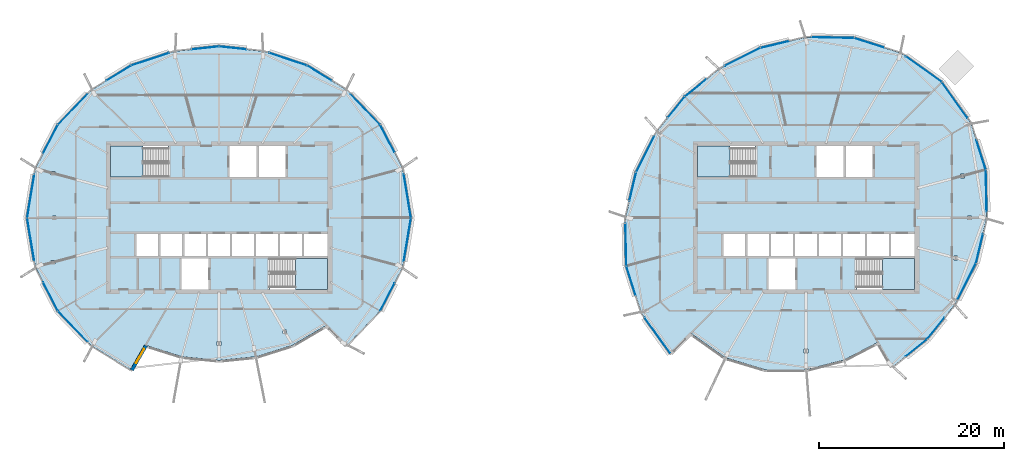
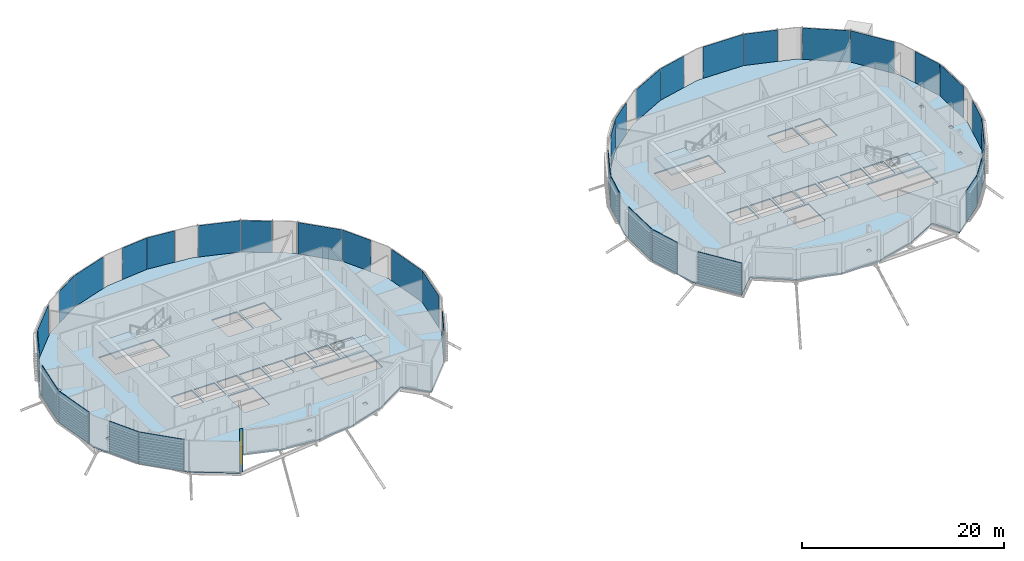
# One storey, part 15 of 35: 36 plates, 6 slabs, 1 wall, 1 window, 1 opening, 6 elements without a shape of their own.
"""IFC4 building model written with IfcOpenShell, lengths in metres."""

from ifc_helpers import new_model, si_unit, direction, frame, frame_2d, origin, origin_2d, place, context, subcontext, project, spatial, polyline, rectangle, outline, extrude, material, layer, layer_set, type_object, element, fill, aggregate, save


model = new_model("IFC4")

# Units and contexts
model_context = context("Model", 3, precision=1e-05, world=origin(), true_north=direction((0.0, 1.0)))
body_context = subcontext(model_context, "Body", "Model", "MODEL_VIEW")
ifc_project = project(units=[si_unit("LENGTHUNIT", "METRE"), si_unit("AREAUNIT", "SQUARE_METRE"), si_unit("VOLUMEUNIT", "CUBIC_METRE"), si_unit("PLANEANGLEUNIT", "RADIAN"), si_unit("MASSUNIT", "GRAM", prefix="KILO")], contexts=[model_context])

# Site, building, storey
site_placement = place(None, origin())
site = spatial("IfcSite", under=ifc_project, at=site_placement, CompositionType="ELEMENT")
building_placement = place(site_placement, origin())
building = spatial("IfcBuilding", under=site, at=building_placement, Name="Rimbun Link Towers", CompositionType="ELEMENT")
storey_placement = place(building_placement, frame((0.0, 0.0, 225.699951171875)))
storey = spatial("IfcBuildingStorey", under=building, at=storey_placement, Name="L55", CompositionType="ELEMENT", Elevation=225.699951171875)

# Slabs
ifc_material_1 = material(Name="Concrete C35/45", Category="concrete")
ifc_layer_1 = layer(ifc_material_1, 0.139892578125)
ifc_layer_set_1 = layer_set([ifc_layer_1], Name="COMPOSITE FLOOR 140")
slab_type_1 = type_object("IfcSlabType", Name="COMPOSITE FLOOR 140", PredefinedType="FLOOR", material=ifc_layer_set_1)
slab_1_placement = place(storey_placement, frame((0.0, 0.0, -0.139892578125)))
element("IfcSlab", 1, at=slab_1_placement, inside=storey, type_object=slab_type_1, Name="Floor slab T1 L55", PredefinedType="FLOOR", context=body_context, shape_type="SweptSolid", body=[
    extrude(outline(polyline([(-45.56494140625, -13.81494140625), (-49.168212890625, -10.056396484375), (-51.6171875, -5.323486328125), (-52.49267578125, 0.0), (-51.6171875, 5.323486328125), (-49.168212890625, 10.056396484375), (-45.56494140625, 13.81494140625), (-41.254150390625, 16.4619140625), (-36.576416015625, 18.011962890625), (-31.75, 18.520263671875), (-26.923583984375, 18.011962890625), (-22.245849609375, 16.4619140625), (-17.93505859375, 13.81494140625), (-14.331787109375, 10.056396484375), (-11.8828125, 5.323486328125), (-11.00732421875, 0.0), (-11.8828125, -5.323486328125), (-14.331787109375, -10.056396484375), (-17.93505859375, -13.81494140625), (-20.127197265625, -11.622802734375), (-23.7958984375, -13.777099609375), (-27.72607421875, -15.017578125), (-31.75, -15.42041015625), (-35.77392578125, -15.017578125), (-39.7041015625, -13.777099609375), (-41.254150390625, -16.4619140625), (-45.56494140625, -13.81494140625)]), holes=[polyline([(-31.550537109375, -13.792236328125), (-31.550537109375, -13.398681640625), (-31.949462890625, -13.398681640625), (-31.949462890625, -13.792236328125), (-31.550537109375, -13.792236328125)]), polyline([(-32.89990234375, -7.75), (-32.89990234375, -4.39990234375), (-35.800048828125, -4.39990234375), (-35.800048828125, -7.75), (-32.89990234375, -7.75)]), polyline([(-49.51904296875, -5.011474609375), (-49.51904296875, -4.617919921875), (-49.918212890625, -4.617919921875), (-49.918212890625, -5.011474609375), (-49.51904296875, -5.011474609375)]), polyline([(-38.361083984375, -4.14990234375), (-38.361083984375, -1.75), (-40.70556640625, -1.75), (-40.70556640625, -4.14990234375), (-38.361083984375, -4.14990234375)]), polyline([(-35.7666015625, -4.14990234375), (-35.7666015625, -1.75), (-38.111083984375, -1.75), (-38.111083984375, -4.14990234375), (-35.7666015625, -4.14990234375)]), polyline([(-33.172119140625, -4.14990234375), (-33.172119140625, -1.75), (-35.5166015625, -1.75), (-35.5166015625, -4.14990234375), (-33.172119140625, -4.14990234375)]), polyline([(-49.3837890625, -0.19677734375), (-49.3837890625, 0.19677734375), (-49.78271484375, 0.19677734375), (-49.78271484375, -0.19677734375), (-49.3837890625, -0.19677734375)]), polyline([(-49.918212890625, 4.617919921875), (-49.51904296875, 4.617919921875), (-49.51904296875, 5.011474609375), (-49.918212890625, 5.011474609375), (-49.918212890625, 4.617919921875)]), polyline([(-43.5, 4.39990234375), (-37.260009765625, 4.39990234375), (-37.260009765625, 7.75), (-43.5, 7.75), (-43.5, 4.39990234375)]), polyline([(-24.4296875, -12.530517578125), (-24.4296875, -12.136962890625), (-24.82861328125, -12.136962890625), (-24.82861328125, -12.530517578125), (-24.4296875, -12.530517578125)]), polyline([(-20.0, -7.75), (-20.0, -4.39990234375), (-26.239990234375, -4.39990234375), (-26.239990234375, -7.75), (-20.0, -7.75)]), polyline([(-30.577880859375, -4.14990234375), (-30.577880859375, -1.75), (-32.922119140625, -1.75), (-32.922119140625, -4.14990234375), (-30.577880859375, -4.14990234375)]), polyline([(-27.9833984375, -4.14990234375), (-27.9833984375, -1.75), (-30.327880859375, -1.75), (-30.327880859375, -4.14990234375), (-27.9833984375, -4.14990234375)]), polyline([(-25.388916015625, -4.14990234375), (-25.388916015625, -1.75), (-27.7333984375, -1.75), (-27.7333984375, -4.14990234375), (-25.388916015625, -4.14990234375)]), polyline([(-22.79443359375, -4.14990234375), (-22.79443359375, -1.75), (-25.138916015625, -1.75), (-25.138916015625, -4.14990234375), (-22.79443359375, -4.14990234375)]), polyline([(-20.0, -4.14990234375), (-20.0, -1.75), (-22.54443359375, -1.75), (-22.54443359375, -4.14990234375), (-20.0, -4.14990234375)]), polyline([(-30.60009765625, 4.39990234375), (-27.699951171875, 4.39990234375), (-27.699951171875, 7.75), (-30.60009765625, 7.75), (-30.60009765625, 4.39990234375)]), polyline([(-27.449951171875, 4.39990234375), (-24.550048828125, 4.39990234375), (-24.550048828125, 7.75), (-27.449951171875, 7.75), (-27.449951171875, 4.39990234375)])]), origin(), (0.0, 0.0, 1.0), 0.139892578125),
])
slab_2_placement = place(storey_placement, frame((0.0, 0.0, -0.139892578125)))
element("IfcSlab", 2, at=slab_2_placement, inside=storey, type_object=slab_type_1, Name="Floor slab T2 L55", PredefinedType="FLOOR", context=body_context, shape_type="SweptSolid", body=[
    extrude(outline(polyline([(13.9375, -10.2841796875), (12.322509765625, -5.20556640625), (12.212646484375, 0.0), (13.389404296875, 4.919677734375), (15.600830078125, 9.32373046875), (18.654296875, 13.095703125), (22.42626953125, 16.149169921875), (26.830322265625, 18.360595703125), (31.75, 19.537353515625), (36.95556640625, 19.427490234375), (42.0341796875, 17.8125), (46.417236328125, 14.667236328125), (49.5625, 10.2841796875), (51.177490234375, 5.20556640625), (51.287353515625, 0.0), (50.110595703125, -4.919677734375), (47.899169921875, -9.32373046875), (44.845703125, -13.095703125), (41.07373046875, -16.149169921875), (39.523681640625, -13.46435546875), (35.867431640625, -15.3662109375), (31.75, -16.437255859375), (27.3466796875, -16.433349609375), (23.015869140625, -15.1279296875), (19.274658203125, -12.475341796875), (17.082763671875, -14.667236328125), (13.9375, -10.2841796875)]), holes=[polyline([(31.949462890625, -14.60009765625), (31.949462890625, -14.20654296875), (31.550537109375, -14.20654296875), (31.550537109375, -14.60009765625), (31.949462890625, -14.60009765625)]), polyline([(30.60009765625, -7.75), (30.60009765625, -4.39990234375), (27.699951171875, -4.39990234375), (27.699951171875, -7.75), (30.60009765625, -7.75)]), polyline([(25.138916015625, -4.14990234375), (25.138916015625, -1.75), (22.79443359375, -1.75), (22.79443359375, -4.14990234375), (25.138916015625, -4.14990234375)]), polyline([(27.7333984375, -4.14990234375), (27.7333984375, -1.75), (25.388916015625, -1.75), (25.388916015625, -4.14990234375), (27.7333984375, -4.14990234375)]), polyline([(30.327880859375, -4.14990234375), (30.327880859375, -1.75), (27.9833984375, -1.75), (27.9833984375, -4.14990234375), (30.327880859375, -4.14990234375)]), polyline([(32.922119140625, -4.14990234375), (32.922119140625, -1.75), (30.577880859375, -1.75), (30.577880859375, -4.14990234375), (32.922119140625, -4.14990234375)]), polyline([(35.5166015625, -4.14990234375), (35.5166015625, -1.75), (33.172119140625, -1.75), (33.172119140625, -4.14990234375), (35.5166015625, -4.14990234375)]), polyline([(26.239990234375, 4.39990234375), (26.239990234375, 7.75), (20.0, 7.75), (20.0, 4.39990234375), (26.239990234375, 4.39990234375)]), polyline([(35.800048828125, 4.39990234375), (35.800048828125, 7.75), (32.89990234375, 7.75), (32.89990234375, 4.39990234375), (35.800048828125, 4.39990234375)]), polyline([(43.5, -7.75), (43.5, -4.39990234375), (37.260009765625, -4.39990234375), (37.260009765625, -7.75), (43.5, -7.75)]), polyline([(48.1552734375, -4.5390625), (48.1552734375, -4.1455078125), (47.75634765625, -4.1455078125), (47.75634765625, -4.5390625), (48.1552734375, -4.5390625)]), polyline([(38.111083984375, -4.14990234375), (38.111083984375, -1.75), (35.7666015625, -1.75), (35.7666015625, -4.14990234375), (38.111083984375, -4.14990234375)]), polyline([(40.70556640625, -4.14990234375), (40.70556640625, -1.75), (38.361083984375, -1.75), (38.361083984375, -4.14990234375), (40.70556640625, -4.14990234375)]), polyline([(43.5, -4.14990234375), (43.5, -1.75), (40.95556640625, -1.75), (40.95556640625, -4.14990234375), (43.5, -4.14990234375)]), polyline([(49.6337890625, -0.19677734375), (49.6337890625, 0.19677734375), (49.23486328125, 0.19677734375), (49.23486328125, -0.19677734375), (49.6337890625, -0.19677734375)]), polyline([(48.4697265625, 4.336669921875), (48.868896484375, 4.336669921875), (48.868896484375, 4.730224609375), (48.4697265625, 4.730224609375), (48.4697265625, 4.336669921875)]), polyline([(36.050048828125, 4.39990234375), (38.949951171875, 4.39990234375), (38.949951171875, 7.75), (36.050048828125, 7.75), (36.050048828125, 4.39990234375)])]), origin(), (0.0, 0.0, 1.0), 0.139892578125),
])

# Curtain wall, plates
ifc_material_2 = material(Name="Aluminium 6063-T6 and low-iron glass", Category="aluminium")
curtain_wall_type = type_object("IfcCurtainWallType", Name="CW1-Z4 unitised vision wall (zone 4)", PredefinedType="NOTDEFINED", material=ifc_material_2)
curtain_wall_1_placement = place(storey_placement, origin())
curtain_wall_1 = element("IfcCurtainWall", 3, at=curtain_wall_1_placement, inside=storey, type_object=curtain_wall_type, Name="CW1 L55 T1", PredefinedType="NOTDEFINED")
ifc_material_3 = material(Name="Low-iron glass, laminated low-e unit", Category="glass")
ifc_layer_2 = layer(ifc_material_3, 0.028076171875)
ifc_layer_set_2 = layer_set([ifc_layer_2], Name="CW1 panel Low-iron glass 28")
plate_type = type_object("IfcPlateType", Name="CW1 panel Low-iron glass 28", PredefinedType="CURTAIN_PANEL", material=ifc_layer_set_2)
plate_1_placement = place(storey_placement, frame((-11.382568359375, 2.367919921875, 0.0), z_axis=(0.0, 0.0, 1.0), x_axis=(0.162264453577, -0.986747306612, 0.0)))
plate_1 = element("IfcPlate", 4, at=plate_1_placement, type_object=plate_type, Name="CW1 panel", PredefinedType="CURTAIN_PANEL", context=body_context, shape_type="SweptSolid", body=[
    extrude(rectangle(XDim=4.7548828125, YDim=0.028076171875, at=origin_2d()), origin(), (0.0, 0.0, 1.0), 3.800048828125),
])
plate_2_placement = place(storey_placement, frame((-13.542724609375, 8.562255859375, 0.0), z_axis=(0.0, 0.0, 1.0), x_axis=(0.459547983117, -0.888152943593, 0.0)))
plate_2 = element("IfcPlate", 5, at=plate_2_placement, type_object=plate_type, Name="CW1 panel", PredefinedType="CURTAIN_PANEL", context=body_context, shape_type="SweptSolid", body=[
    extrude(rectangle(XDim=3.339111328125, YDim=0.028076171875, at=origin_2d()), origin(), (0.0, 0.0, 1.0), 3.800048828125),
])
plate_3_placement = place(storey_placement, frame((-15.91552734375, 11.72900390625, 0.0), z_axis=(0.0, 0.0, 1.0), x_axis=(0.692045926829, -0.721853472084, 0.0)))
plate_3 = element("IfcPlate", 6, at=plate_3_placement, type_object=plate_type, Name="CW1 panel", PredefinedType="CURTAIN_PANEL", context=body_context, shape_type="SweptSolid", body=[
    extrude(rectangle(XDim=4.566650390625, YDim=0.028076171875, at=origin_2d()), origin(), (0.0, 0.0, 1.0), 3.800048828125),
])
plate_4_placement = place(storey_placement, frame((-20.892578125, 15.6474609375, 0.0), z_axis=(0.0, 0.0, 1.0), x_axis=(0.852187308888, -0.523236839844, 0.0)))
plate_4 = element("IfcPlate", 7, at=plate_4_placement, type_object=plate_type, Name="CW1 panel", PredefinedType="CURTAIN_PANEL", context=body_context, shape_type="SweptSolid", body=[
    extrude(rectangle(XDim=3.118408203125, YDim=0.028076171875, at=origin_2d()), origin(), (0.0, 0.0, 1.0), 3.800048828125),
])
plate_5_placement = place(storey_placement, frame((-24.295654296875, 17.15576171875, 0.0), z_axis=(0.0, 0.0, 1.0), x_axis=(0.949235811847, -0.314565372391, 0.0)))
plate_5 = element("IfcPlate", 8, at=plate_5_placement, type_object=plate_type, Name="CW1 panel", PredefinedType="CURTAIN_PANEL", context=body_context, shape_type="SweptSolid", body=[
    extrude(rectangle(XDim=4.2880859375, YDim=0.028076171875, at=origin_2d()), origin(), (0.0, 0.0, 1.0), 3.800048828125),
])
plate_6_placement = place(storey_placement, frame((-30.25537109375, 18.376953125, 0.0), z_axis=(0.0, 0.0, 1.0), x_axis=(0.994499693073, -0.104739488627, 0.0)))
plate_6 = element("IfcPlate", 9, at=plate_6_placement, type_object=plate_type, Name="CW1 panel", PredefinedType="CURTAIN_PANEL", context=body_context, shape_type="SweptSolid", body=[
    extrude(rectangle(XDim=2.962890625, YDim=0.028076171875, at=origin_2d()), origin(), (0.0, 0.0, 1.0), 3.800048828125),
])
plate_7_placement = place(storey_placement, frame((-33.24462890625, 18.376953125, 0.0), z_axis=(0.0, 0.0, 1.0), x_axis=(0.994499693073, 0.104739488627, 0.0)))
plate_7 = element("IfcPlate", 10, at=plate_7_placement, type_object=plate_type, Name="CW1 panel", PredefinedType="CURTAIN_PANEL", context=body_context, shape_type="SweptSolid", body=[
    extrude(rectangle(XDim=2.962890625, YDim=0.028076171875, at=origin_2d()), origin(), (0.0, 0.0, 1.0), 3.800048828125),
])
plate_8_placement = place(storey_placement, frame((-39.204345703125, 17.15576171875, 0.0), z_axis=(0.0, 0.0, 1.0), x_axis=(0.949235811847, 0.314565372391, 0.0)))
plate_8 = element("IfcPlate", 11, at=plate_8_placement, type_object=plate_type, Name="CW1 panel", PredefinedType="CURTAIN_PANEL", context=body_context, shape_type="SweptSolid", body=[
    extrude(rectangle(XDim=4.2880859375, YDim=0.028076171875, at=origin_2d()), origin(), (0.0, 0.0, 1.0), 3.800048828125),
])
plate_9_placement = place(storey_placement, frame((-42.607421875, 15.6474609375, 0.0), z_axis=(0.0, 0.0, 1.0), x_axis=(0.852187308888, 0.523236839844, 0.0)))
plate_9 = element("IfcPlate", 12, at=plate_9_placement, type_object=plate_type, Name="CW1 panel", PredefinedType="CURTAIN_PANEL", context=body_context, shape_type="SweptSolid", body=[
    extrude(rectangle(XDim=3.118408203125, YDim=0.028076171875, at=origin_2d()), origin(), (0.0, 0.0, 1.0), 3.800048828125),
])
plate_10_placement = place(storey_placement, frame((-47.58447265625, 11.72900390625, 0.0), z_axis=(0.0, 0.0, 1.0), x_axis=(0.692045926829, 0.721853472084, 0.0)))
plate_10 = element("IfcPlate", 13, at=plate_10_placement, type_object=plate_type, Name="CW1 panel", PredefinedType="CURTAIN_PANEL", context=body_context, shape_type="SweptSolid", body=[
    extrude(rectangle(XDim=4.566650390625, YDim=0.028076171875, at=origin_2d()), origin(), (0.0, 0.0, 1.0), 3.800048828125),
])
plate_11_placement = place(storey_placement, frame((-49.980224609375, 8.517822265625, 0.0), z_axis=(0.0, 0.0, 1.0), x_axis=(0.459547983117, 0.888152943593, 0.0)))
plate_11 = element("IfcPlate", 14, at=plate_11_placement, type_object=plate_type, Name="CW1 panel", PredefinedType="CURTAIN_PANEL", context=body_context, shape_type="SweptSolid", body=[
    extrude(rectangle(XDim=3.439208984375, YDim=0.028076171875, at=origin_2d()), origin(), (0.0, 0.0, 1.0), 3.800048828125),
])
plate_12_placement = place(storey_placement, frame((-52.12158203125, 2.34326171875, 0.0), z_axis=(0.0, 0.0, 1.0), x_axis=(0.162264453577, 0.986747306612, 0.0)))
plate_12 = element("IfcPlate", 15, at=plate_12_placement, type_object=plate_type, Name="CW1 panel", PredefinedType="CURTAIN_PANEL", context=body_context, shape_type="SweptSolid", body=[
    extrude(rectangle(XDim=4.704833984375, YDim=0.028076171875, at=origin_2d()), origin(), (0.0, 0.0, 1.0), 3.800048828125),
])
plate_13_placement = place(storey_placement, frame((-52.12158203125, -2.34326171875, 0.0), z_axis=(0.0, 0.0, 1.0), x_axis=(-0.162264453577, 0.986747306612, 0.0)))
plate_13 = element("IfcPlate", 16, at=plate_13_placement, type_object=plate_type, Name="CW1 panel", PredefinedType="CURTAIN_PANEL", context=body_context, shape_type="SweptSolid", body=[
    extrude(rectangle(XDim=4.704833984375, YDim=0.028076171875, at=origin_2d()), origin(), (0.0, 0.0, 1.0), 3.800048828125),
])
plate_14_placement = place(storey_placement, frame((-49.980224609375, -8.517822265625, 0.0), z_axis=(0.0, 0.0, 1.0), x_axis=(-0.459547983117, 0.888152943593, 0.0)))
plate_14 = element("IfcPlate", 17, at=plate_14_placement, type_object=plate_type, Name="CW1 panel", PredefinedType="CURTAIN_PANEL", context=body_context, shape_type="SweptSolid", body=[
    extrude(rectangle(XDim=3.439208984375, YDim=0.028076171875, at=origin_2d()), origin(), (0.0, 0.0, 1.0), 3.800048828125),
])
plate_15_placement = place(storey_placement, frame((-47.567138671875, -11.746826171875, 0.0), z_axis=(0.0, 0.0, 1.0), x_axis=(-0.692045926829, 0.721853472084, 0.0)))
plate_15 = element("IfcPlate", 18, at=plate_15_placement, type_object=plate_type, Name="CW1 panel", PredefinedType="CURTAIN_PANEL", context=body_context, shape_type="SweptSolid", body=[
    extrude(rectangle(XDim=4.61669921875, YDim=0.028076171875, at=origin_2d()), origin(), (0.0, 0.0, 1.0), 3.800048828125),
])
plate_16_placement = place(storey_placement, frame((-13.542724609375, -8.562255859375, 0.0), z_axis=(0.0, 0.0, 1.0), x_axis=(-0.459547983117, -0.888152943593, 0.0)))
plate_16 = element("IfcPlate", 19, at=plate_16_placement, type_object=plate_type, Name="CW1 panel", PredefinedType="CURTAIN_PANEL", context=body_context, shape_type="SweptSolid", body=[
    extrude(rectangle(XDim=3.339111328125, YDim=0.028076171875, at=origin_2d()), origin(), (0.0, 0.0, 1.0), 3.800048828125),
])
plate_17_placement = place(storey_placement, frame((-11.382568359375, -2.367919921875, 0.0), z_axis=(0.0, 0.0, 1.0), x_axis=(-0.162264453577, -0.986747306612, 0.0)))
plate_17 = element("IfcPlate", 20, at=plate_17_placement, type_object=plate_type, Name="CW1 panel", PredefinedType="CURTAIN_PANEL", context=body_context, shape_type="SweptSolid", body=[
    extrude(rectangle(XDim=4.7548828125, YDim=0.028076171875, at=origin_2d()), origin(), (0.0, 0.0, 1.0), 3.800048828125),
])
aggregate(curtain_wall_1, [plate_1, plate_2, plate_3, plate_4, plate_5, plate_6, plate_7, plate_8, plate_9, plate_10, plate_11, plate_12, plate_13, plate_14, plate_15, plate_16, plate_17])

curtain_wall_2_placement = place(storey_placement, origin())
curtain_wall_2 = element("IfcCurtainWall", 21, at=curtain_wall_2_placement, inside=storey, type_object=curtain_wall_type, Name="CW1 L55 T2", PredefinedType="NOTDEFINED")
plate_18_placement = place(storey_placement, frame((44.4775390625, 16.076416015625, 0.0), z_axis=(0.0, 0.0, 1.0), x_axis=(0.812465338349, -0.583009497334, 0.0)))
plate_18 = element("IfcPlate", 22, at=plate_18_placement, type_object=plate_type, Name="CW1 panel", PredefinedType="CURTAIN_PANEL", context=body_context, shape_type="SweptSolid", body=[
    extrude(rectangle(XDim=4.7548828125, YDim=0.028076171875, at=origin_2d()), origin(), (0.0, 0.0, 1.0), 3.800048828125),
])
plate_19_placement = place(storey_placement, frame((38.59375, 18.92138671875, 0.0), z_axis=(0.0, 0.0, 1.0), x_axis=(0.952973824415, -0.303052619159, 0.0)))
plate_19 = element("IfcPlate", 23, at=plate_19_placement, type_object=plate_type, Name="CW1 panel", PredefinedType="CURTAIN_PANEL", context=body_context, shape_type="SweptSolid", body=[
    extrude(rectangle(XDim=3.38916015625, YDim=0.028076171875, at=origin_2d()), origin(), (0.0, 0.0, 1.0), 3.800048828125),
])
plate_20_placement = place(storey_placement, frame((34.653076171875, 19.490234375, 0.0), z_axis=(0.0, 0.0, 1.0), x_axis=(0.999778028585, -0.021068781637, 0.0)))
plate_20 = element("IfcPlate", 24, at=plate_20_placement, type_object=plate_type, Name="CW1 panel", PredefinedType="CURTAIN_PANEL", context=body_context, shape_type="SweptSolid", body=[
    extrude(rectangle(XDim=4.566650390625, YDim=0.028076171875, at=origin_2d()), origin(), (0.0, 0.0, 1.0), 3.800048828125),
])
plate_21_placement = place(storey_placement, frame((28.38720703125, 18.74755859375, 0.0), z_axis=(0.0, 0.0, 1.0), x_axis=(0.972572183777, 0.232601262555, 0.0)))
plate_21 = element("IfcPlate", 25, at=plate_21_placement, type_object=plate_type, Name="CW1 panel", PredefinedType="CURTAIN_PANEL", context=body_context, shape_type="SweptSolid", body=[
    extrude(rectangle(XDim=3.16845703125, YDim=0.028076171875, at=origin_2d()), origin(), (0.0, 0.0, 1.0), 3.800048828125),
])
plate_22_placement = place(storey_placement, frame((24.89013671875, 17.402099609375, 0.0), z_axis=(0.0, 0.0, 1.0), x_axis=(0.893646631938, 0.448771319523, 0.0)))
plate_22 = element("IfcPlate", 26, at=plate_22_placement, type_object=plate_type, Name="CW1 panel", PredefinedType="CURTAIN_PANEL", context=body_context, shape_type="SweptSolid", body=[
    extrude(rectangle(XDim=4.2880859375, YDim=0.028076171875, at=origin_2d()), origin(), (0.0, 0.0, 1.0), 3.800048828125),
])
plate_23_placement = place(storey_placement, frame((19.8125, 14.05126953125, 0.0), z_axis=(0.0, 0.0, 1.0), x_axis=(0.777275581063, 0.629160290454, 0.0)))
plate_23 = element("IfcPlate", 27, at=plate_23_placement, type_object=plate_type, Name="CW1 panel", PredefinedType="CURTAIN_PANEL", context=body_context, shape_type="SweptSolid", body=[
    extrude(rectangle(XDim=2.962890625, YDim=0.028076171875, at=origin_2d()), origin(), (0.0, 0.0, 1.0), 3.800048828125),
])
plate_24_placement = place(storey_placement, frame((17.71435546875, 11.95703125, 0.0), z_axis=(0.0, 0.0, 1.0), x_axis=(0.629160290454, 0.777275581063, 0.0)))
plate_24 = element("IfcPlate", 28, at=plate_24_placement, type_object=plate_type, Name="CW1 panel", PredefinedType="CURTAIN_PANEL", context=body_context, shape_type="SweptSolid", body=[
    extrude(rectangle(XDim=2.9130859375, YDim=0.028076171875, at=origin_2d()), origin(), (0.0, 0.0, 1.0), 3.800048828125),
])
plate_25_placement = place(storey_placement, frame((14.359130859375, 6.88232421875, 0.0), z_axis=(0.0, 0.0, 1.0), x_axis=(0.448771319523, 0.893646631938, 0.0)))
plate_25 = element("IfcPlate", 29, at=plate_25_placement, type_object=plate_type, Name="CW1 panel", PredefinedType="CURTAIN_PANEL", context=body_context, shape_type="SweptSolid", body=[
    extrude(rectangle(XDim=4.338134765625, YDim=0.028076171875, at=origin_2d()), origin(), (0.0, 0.0, 1.0), 3.800048828125),
])
plate_26_placement = place(storey_placement, frame((13.00830078125, 3.386962890625, 0.0), z_axis=(0.0, 0.0, 1.0), x_axis=(0.232601262555, 0.972572183777, 0.0)))
plate_26 = element("IfcPlate", 30, at=plate_26_placement, type_object=plate_type, Name="CW1 panel", PredefinedType="CURTAIN_PANEL", context=body_context, shape_type="SweptSolid", body=[
    extrude(rectangle(XDim=3.118408203125, YDim=0.028076171875, at=origin_2d()), origin(), (0.0, 0.0, 1.0), 3.800048828125),
])
plate_27_placement = place(storey_placement, frame((12.259765625, -2.903076171875, 0.0), z_axis=(0.0, 0.0, 1.0), x_axis=(-0.021068781637, 0.999778028585, 0.0)))
plate_27 = element("IfcPlate", 31, at=plate_27_placement, type_object=plate_type, Name="CW1 panel", PredefinedType="CURTAIN_PANEL", context=body_context, shape_type="SweptSolid", body=[
    extrude(rectangle(XDim=4.566650390625, YDim=0.028076171875, at=origin_2d()), origin(), (0.0, 0.0, 1.0), 3.800048828125),
])
plate_28_placement = place(storey_placement, frame((12.821044921875, -6.81982421875, 0.0), z_axis=(0.0, 0.0, 1.0), x_axis=(-0.303052619159, 0.952973824415, 0.0)))
plate_28 = element("IfcPlate", 32, at=plate_28_placement, type_object=plate_type, Name="CW1 panel", PredefinedType="CURTAIN_PANEL", context=body_context, shape_type="SweptSolid", body=[
    extrude(rectangle(XDim=3.339111328125, YDim=0.028076171875, at=origin_2d()), origin(), (0.0, 0.0, 1.0), 3.800048828125),
])
plate_29_placement = place(storey_placement, frame((15.673583984375, -12.7275390625, 0.0), z_axis=(0.0, 0.0, 1.0), x_axis=(-0.583009497334, 0.812465338349, 0.0)))
plate_29 = element("IfcPlate", 33, at=plate_29_placement, type_object=plate_type, Name="CW1 panel", PredefinedType="CURTAIN_PANEL", context=body_context, shape_type="SweptSolid", body=[
    extrude(rectangle(XDim=4.7548828125, YDim=0.028076171875, at=origin_2d()), origin(), (0.0, 0.0, 1.0), 3.800048828125),
])
plate_30_placement = place(storey_placement, frame((43.6875, -14.05126953125, 0.0), z_axis=(0.0, 0.0, 1.0), x_axis=(-0.777275581063, -0.629160290454, 0.0)))
plate_30 = element("IfcPlate", 34, at=plate_30_placement, type_object=plate_type, Name="CW1 panel", PredefinedType="CURTAIN_PANEL", context=body_context, shape_type="SweptSolid", body=[
    extrude(rectangle(XDim=2.962890625, YDim=0.028076171875, at=origin_2d()), origin(), (0.0, 0.0, 1.0), 3.800048828125),
])
plate_31_placement = place(storey_placement, frame((45.78564453125, -11.95703125, 0.0), z_axis=(0.0, 0.0, 1.0), x_axis=(-0.629160290454, -0.777275581063, 0.0)))
plate_31 = element("IfcPlate", 35, at=plate_31_placement, type_object=plate_type, Name="CW1 panel", PredefinedType="CURTAIN_PANEL", context=body_context, shape_type="SweptSolid", body=[
    extrude(rectangle(XDim=2.9130859375, YDim=0.028076171875, at=origin_2d()), origin(), (0.0, 0.0, 1.0), 3.800048828125),
])
plate_32_placement = place(storey_placement, frame((49.140869140625, -6.88232421875, 0.0), z_axis=(0.0, 0.0, 1.0), x_axis=(-0.448771319523, -0.893646631938, 0.0)))
plate_32 = element("IfcPlate", 36, at=plate_32_placement, type_object=plate_type, Name="CW1 panel", PredefinedType="CURTAIN_PANEL", context=body_context, shape_type="SweptSolid", body=[
    extrude(rectangle(XDim=4.338134765625, YDim=0.028076171875, at=origin_2d()), origin(), (0.0, 0.0, 1.0), 3.800048828125),
])
plate_33_placement = place(storey_placement, frame((50.503173828125, -3.33837890625, 0.0), z_axis=(0.0, 0.0, 1.0), x_axis=(-0.232601262555, -0.972572183777, 0.0)))
plate_33 = element("IfcPlate", 37, at=plate_33_placement, type_object=plate_type, Name="CW1 panel", PredefinedType="CURTAIN_PANEL", context=body_context, shape_type="SweptSolid", body=[
    extrude(rectangle(XDim=3.218505859375, YDim=0.028076171875, at=origin_2d()), origin(), (0.0, 0.0, 1.0), 3.800048828125),
])
plate_34_placement = place(storey_placement, frame((51.239501953125, 2.927978515625, 0.0), z_axis=(0.0, 0.0, 1.0), x_axis=(0.021068781637, -0.999778028585, 0.0)))
plate_34 = element("IfcPlate", 38, at=plate_34_placement, type_object=plate_type, Name="CW1 panel", PredefinedType="CURTAIN_PANEL", context=body_context, shape_type="SweptSolid", body=[
    extrude(rectangle(XDim=4.516845703125, YDim=0.028076171875, at=origin_2d()), origin(), (0.0, 0.0, 1.0), 3.800048828125),
])
plate_35_placement = place(storey_placement, frame((50.678955078125, 6.81982421875, 0.0), z_axis=(0.0, 0.0, 1.0), x_axis=(0.303052619159, -0.952973824415, 0.0)))
plate_35 = element("IfcPlate", 39, at=plate_35_placement, type_object=plate_type, Name="CW1 panel", PredefinedType="CURTAIN_PANEL", context=body_context, shape_type="SweptSolid", body=[
    extrude(rectangle(XDim=3.339111328125, YDim=0.028076171875, at=origin_2d()), origin(), (0.0, 0.0, 1.0), 3.800048828125),
])
plate_36_placement = place(storey_placement, frame((47.826416015625, 12.7275390625, 0.0), z_axis=(0.0, 0.0, 1.0), x_axis=(0.583009497334, -0.812465338349, 0.0)))
plate_36 = element("IfcPlate", 40, at=plate_36_placement, type_object=plate_type, Name="CW1 panel", PredefinedType="CURTAIN_PANEL", context=body_context, shape_type="SweptSolid", body=[
    extrude(rectangle(XDim=4.7548828125, YDim=0.028076171875, at=origin_2d()), origin(), (0.0, 0.0, 1.0), 3.800048828125),
])
aggregate(curtain_wall_2, [plate_18, plate_19, plate_20, plate_21, plate_22, plate_23, plate_24, plate_25, plate_26, plate_27, plate_28, plate_29, plate_30, plate_31, plate_32, plate_33, plate_34, plate_35, plate_36])

# Stair, slab
ifc_material_4 = material(Name="Concrete C40/50", Category="concrete")
stair_type = type_object("IfcStairType", Name="Exit stair 3800 rise", PredefinedType="HALF_TURN_STAIR", material=ifc_material_4)
stair_1_placement = place(storey_placement, origin())
stair_1 = element("IfcStair", 41, at=stair_1_placement, inside=storey, type_object=stair_type, Name="L55 EXIT STAIR A", PredefinedType="HALF_TURN_STAIR")
ifc_material_5 = material(Name="Concrete C40/50", Category="concrete")
ifc_layer_3 = layer(ifc_material_5, 0.199951171875)
ifc_layer_set_3 = layer_set([ifc_layer_3], Name="Stair landing")
slab_type_2 = type_object("IfcSlabType", Name="Stair landing", PredefinedType="LANDING", material=ifc_layer_set_3)
slab_3_placement = place(storey_placement, frame((0.0, 0.0, 1.699951171875)))
slab_3 = element("IfcSlab", 42, at=slab_3_placement, type_object=slab_type_2, Name="ST1 landing 1", PredefinedType="LANDING", context=body_context, shape_type="SweptSolid", body=[
    extrude(outline(polyline([(-40.0, 7.75), (-43.5, 7.75), (-43.5, 4.39990234375), (-40.0, 4.39990234375), (-40.0, 7.75)])), origin(), (0.0, 0.0, 1.0), 0.2001953125),
])
aggregate(stair_1, [slab_3])

stair_2_placement = place(storey_placement, origin())
stair_2 = element("IfcStair", 43, at=stair_2_placement, inside=storey, type_object=stair_type, Name="L55 EXIT STAIR B", PredefinedType="HALF_TURN_STAIR")
slab_4_placement = place(storey_placement, frame((0.0, 0.0, 1.699951171875)))
slab_4 = element("IfcSlab", 44, at=slab_4_placement, type_object=slab_type_2, Name="ST2 landing 1", PredefinedType="LANDING", context=body_context, shape_type="SweptSolid", body=[
    extrude(outline(polyline([(-23.5, -7.75), (-20.0, -7.75), (-20.0, -4.39990234375), (-23.5, -4.39990234375), (-23.5, -7.75)])), origin(), (0.0, 0.0, 1.0), 0.2001953125),
])
aggregate(stair_2, [slab_4])

stair_3_placement = place(storey_placement, origin())
stair_3 = element("IfcStair", 45, at=stair_3_placement, inside=storey, type_object=stair_type, Name="L55 EXIT STAIR A", PredefinedType="HALF_TURN_STAIR")
slab_5_placement = place(storey_placement, frame((0.0, 0.0, 1.699951171875)))
slab_5 = element("IfcSlab", 46, at=slab_5_placement, type_object=slab_type_2, Name="ST3 landing 1", PredefinedType="LANDING", context=body_context, shape_type="SweptSolid", body=[
    extrude(outline(polyline([(23.5, 7.75), (20.0, 7.75), (20.0, 4.39990234375), (23.5, 4.39990234375), (23.5, 7.75)])), origin(), (0.0, 0.0, 1.0), 0.2001953125),
])
aggregate(stair_3, [slab_5])

stair_4_placement = place(storey_placement, origin())
stair_4 = element("IfcStair", 47, at=stair_4_placement, inside=storey, type_object=stair_type, Name="L55 EXIT STAIR B", PredefinedType="HALF_TURN_STAIR")
slab_6_placement = place(storey_placement, frame((0.0, 0.0, 1.699951171875)))
slab_6 = element("IfcSlab", 48, at=slab_6_placement, type_object=slab_type_2, Name="ST4 landing 1", PredefinedType="LANDING", context=body_context, shape_type="SweptSolid", body=[
    extrude(outline(polyline([(40.0, -7.75), (43.5, -7.75), (43.5, -4.39990234375), (40.0, -4.39990234375), (40.0, -7.75)])), origin(), (0.0, 0.0, 1.0), 0.2001953125),
])
aggregate(stair_4, [slab_6])

# Wall, opening, window
ifc_material_6 = material(Name="Dark enamelled glass spandrel on insulated aluminium backpan", Category="aluminium")
ifc_layer_4 = layer(ifc_material_6, 0.3701171875)
ifc_layer_set_4 = layer_set([ifc_layer_4], Name="CS dark enamelled spandrel wall 370")
wall_type = type_object("IfcWallType", Name="CS dark enamelled spandrel wall 370", PredefinedType="STANDARD", material=ifc_layer_set_4)
wall_placement = place(storey_placement, frame((-39.64794921875, -13.8095703125, 0.0), z_axis=(0.0, 0.0, 1.0), x_axis=(-0.499992328818, -0.866029832698, 0.0)))
wall = element("IfcWall", 49, at=wall_placement, inside=storey, type_object=wall_type, Name="Crease spandrel wall", PredefinedType="STANDARD", context=body_context, shape_type="SweptSolid", body=[
    extrude(rectangle(XDim=3.080078125, YDim=0.3701171875, at=frame_2d((1.5400390625, 0.0))), origin(), (0.0, 0.0, 1.0), 3.116943359375),
])
opening_placement = place(wall_placement, frame((0.420654296875, 0.0, 0.300048828125)))
opening = element("IfcOpeningElement", 50, at=opening_placement, cuts=wall, Name="Opening WR18H270", PredefinedType="OPENING", context=body_context, shape_type="SweptSolid", body=[
    extrude(rectangle(XDim=1.75, YDim=2.699951171875, at=frame_2d((0.875, 1.35009765625))), frame((0.0, 0.195068359375, 0.0), z_axis=(0.0, -1.0, 0.0), x_axis=(1.0, 0.0, 0.0)), (0.0, 0.0, 1.0), 0.39013671875),
])
ifc_material_7 = material(Name="Aluminium framed fixed window, dark tinted low-e glass", Category="aluminium")
window_type = type_object("IfcWindowType", Name="WR ribbon window 1750X2700", PartitioningType="SINGLE_PANEL", PredefinedType="WINDOW", material=ifc_material_7)
window_placement = place(opening_placement, origin())
window = element("IfcWindow", 51, at=window_placement, inside=storey, type_object=window_type, Name="Crease ribbon window", OverallHeight=2.699951171875, OverallWidth=1.75, PartitioningType="SINGLE_PANEL", PredefinedType="WINDOW", context=body_context, shape_type="SweptSolid", body=[
    extrude(rectangle(XDim=1.75, YDim=2.699951171875, at=frame_2d((0.875, 1.35009765625))), frame((0.0, 0.030029296875, 0.0), z_axis=(0.0, -1.0, 0.0), x_axis=(1.0, 0.0, 0.0)), (0.0, 0.0, 1.0), 0.06005859375),
])
fill(opening, window)

save(model, "model.ifc")
